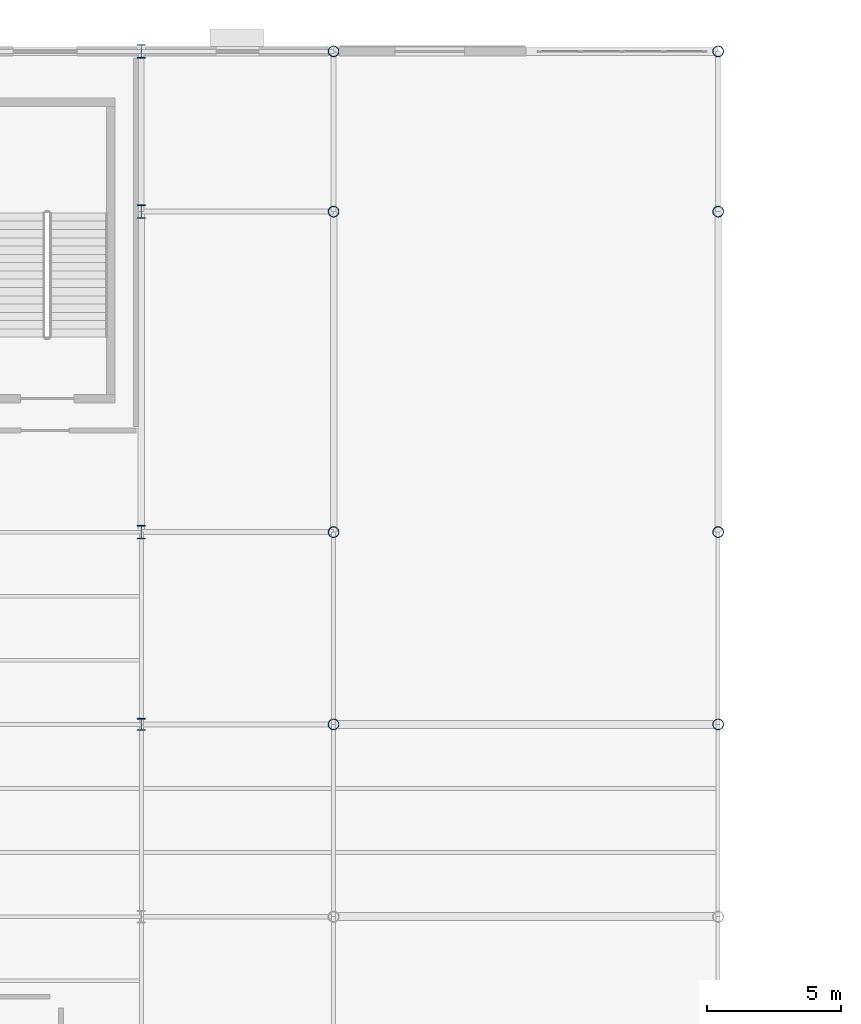
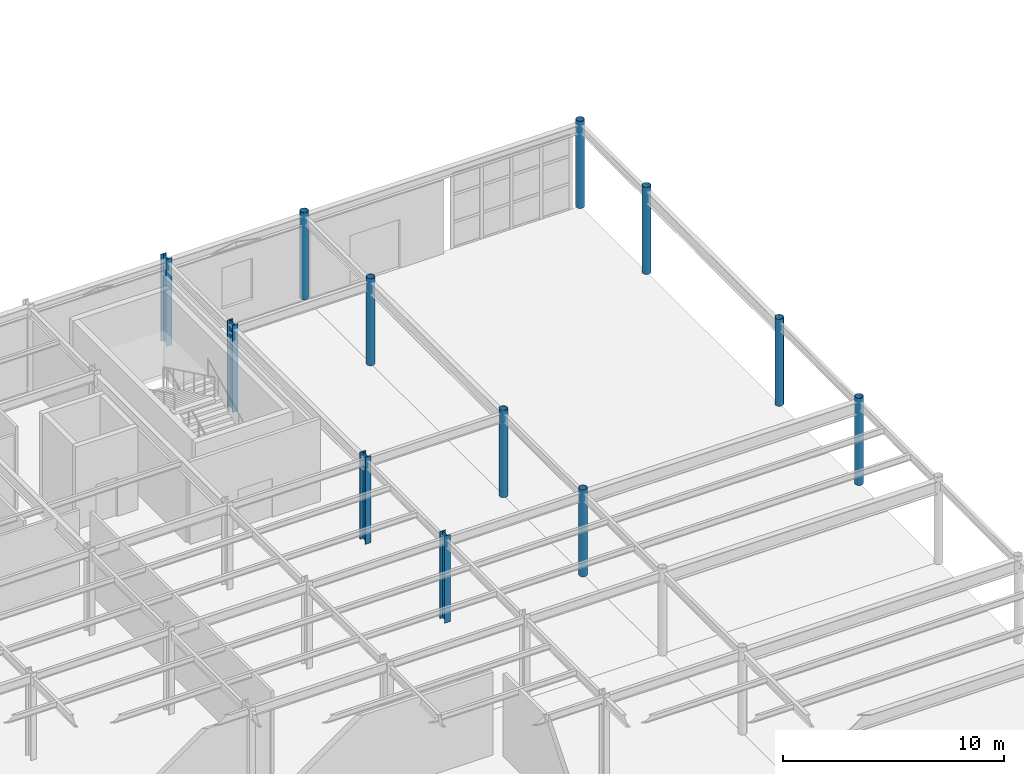
# One storey, part 14 of 83: 12 columns.
"""IFC4 building model written with IfcOpenShell, lengths in metres."""

from ifc_helpers import new_model, si_unit, direction, frame, origin, origin_2d, place, context, subcontext, project, spatial, hollow_circle, i_section, extrude, material, material_profile, profile_set, type_object, element, save


model = new_model("IFC4")

# Units and contexts
model_context = context("Model", 3, precision=1e-05, world=origin(), true_north=direction((0.0, 1.0)))
body_context = subcontext(model_context, "Body", "Model", "MODEL_VIEW")
ifc_project = project(units=[si_unit("LENGTHUNIT", "METRE"), si_unit("AREAUNIT", "SQUARE_METRE"), si_unit("VOLUMEUNIT", "CUBIC_METRE"), si_unit("PLANEANGLEUNIT", "RADIAN"), si_unit("MASSUNIT", "GRAM", prefix="KILO")], contexts=[model_context])

# Site, building, storey
site_placement = place(None, origin())
site = spatial("IfcSite", under=ifc_project, at=site_placement, CompositionType="ELEMENT")
building_placement = place(site_placement, origin())
building = spatial("IfcBuilding", under=site, at=building_placement, Name="Solvadek Multi-Sports Hall", CompositionType="ELEMENT")
storey_placement = place(building_placement, origin())
storey = spatial("IfcBuildingStorey", under=building, at=storey_placement, Name="L00", CompositionType="ELEMENT", Elevation=0.0)

# Columns
ifc_material = material(Name="Steel E350 (350 MPa)", Category="steel")
ifc_material_profile_1 = material_profile(ifc_material, hollow_circle(Radius=0.203125, WallThickness=0.01611328125, at=origin_2d()), Name="CHS 406.4x16")
ifc_profile_set_1 = profile_set([ifc_material_profile_1], Name="Steel E350 (350 MPa)")
column_type_1 = type_object("IfcColumnType", Name="STR-COL-CHS406", PredefinedType="COLUMN", material=ifc_profile_set_1)
for number, where, z_axis, x_axis, name in (
    (1, (72.0, 85.199951171875, 0.0), (0.0, 0.0, 1.0), (1.0, 0.0, 0.0), "L00 Column C-11 #156"),
    (2, (72.0, 92.39990234375, 0.0), (0.0, 0.0, 1.0), (1.0, 0.0, 0.0), "L00 Column C-11 #157"),
    (3, (72.0, 104.39990234375, 0.0), (0.0, 0.0, 1.0), (1.0, 0.0, 0.0), "L00 Column C-11 #158"),
    (4, (72.0, 110.39990234375, 0.0), (0.0, 0.0, 1.0), (1.0, 0.0, 0.0), "L00 Column C-11 #159"),
    (5, (86.39990234375, 85.199951171875, 0.0), (0.0, 0.0, 1.0), (1.0, 0.0, 0.0), "L00 Column C-11 #186"),
    (6, (86.39990234375, 92.39990234375, 0.0), (0.0, 0.0, 1.0), (1.0, 0.0, 0.0), "L00 Column C-11 #187"),
    (7, (86.39990234375, 104.39990234375, 0.0), (0.0, 0.0, 1.0), (1.0, 0.0, 0.0), "L00 Column C-11 #188"),
    (8, (86.39990234375, 110.39990234375, 0.0), (0.0, 0.0, 1.0), (1.0, 0.0, 0.0), "L00 Column C-11 #189"),
):
    element("IfcColumn", number, at=place(storey_placement, frame(where, z_axis=z_axis, x_axis=x_axis)), inside=storey, type_object=column_type_1, Name=name, PredefinedType="COLUMN", context=body_context, shape_type="SweptSolid", body=[
        extrude(hollow_circle(Radius=0.203125, WallThickness=0.01611328125, at=origin_2d()), origin(), (0.0, 0.0, 1.0), 4.800048828125),
    ])
ifc_material_profile_2 = material_profile(ifc_material, i_section(OverallWidth=0.300048828125, OverallDepth=0.449951171875, WebThickness=0.013916015625, FlangeThickness=0.02587890625, at=origin_2d()), Name="WPB 450")
ifc_profile_set_2 = profile_set([ifc_material_profile_2], Name="Steel E350 (350 MPa)")
column_type_2 = type_object("IfcColumnType", Name="STR-COL-WPB450", PredefinedType="COLUMN", material=ifc_profile_set_2)
column_placement = place(storey_placement, frame((64.800048828125, 85.199951171875, 0.0), z_axis=(0.0, 0.0, 1.0), x_axis=(1.0, 0.0, 0.0)))
element("IfcColumn", 9, at=column_placement, inside=storey, type_object=column_type_2, Name="L00 Column C-06 #140", PredefinedType="COLUMN", context=body_context, shape_type="SweptSolid", body=[
    extrude(i_section(OverallWidth=0.300048828125, OverallDepth=0.449951171875, WebThickness=0.013916015625, FlangeThickness=0.02587890625, at=origin_2d()), origin(), (0.0, 0.0, 1.0), 4.800048828125),
])
ifc_material_profile_3 = material_profile(ifc_material, i_section(OverallWidth=0.300048828125, OverallDepth=0.5, WebThickness=0.014404296875, FlangeThickness=0.028076171875, at=origin_2d()), Name="WPB 500")
ifc_profile_set_3 = profile_set([ifc_material_profile_3], Name="Steel E350 (350 MPa)")
column_type_3 = type_object("IfcColumnType", Name="STR-COL-WPB500", PredefinedType="COLUMN", material=ifc_profile_set_3)
for number, where, z_axis, x_axis, name in (
    (10, (64.800048828125, 92.39990234375, 0.0), (0.0, 0.0, 1.0), (1.0, 0.0, 0.0), "L00 Column C-05 #141"),
    (11, (64.800048828125, 104.39990234375, 0.0), (0.0, 0.0, 1.0), (1.0, 0.0, 0.0), "L00 Column C-05 #142"),
    (12, (64.800048828125, 110.39990234375, 0.0), (0.0, 0.0, 1.0), (1.0, 0.0, 0.0), "L00 Column C-05 #143"),
):
    element("IfcColumn", number, at=place(storey_placement, frame(where, z_axis=z_axis, x_axis=x_axis)), inside=storey, type_object=column_type_3, Name=name, PredefinedType="COLUMN", context=body_context, shape_type="SweptSolid", body=[
        extrude(i_section(OverallWidth=0.300048828125, OverallDepth=0.5, WebThickness=0.014404296875, FlangeThickness=0.028076171875, at=origin_2d()), origin(), (0.0, 0.0, 1.0), 4.800048828125),
    ])

save(model, "model.ifc")
